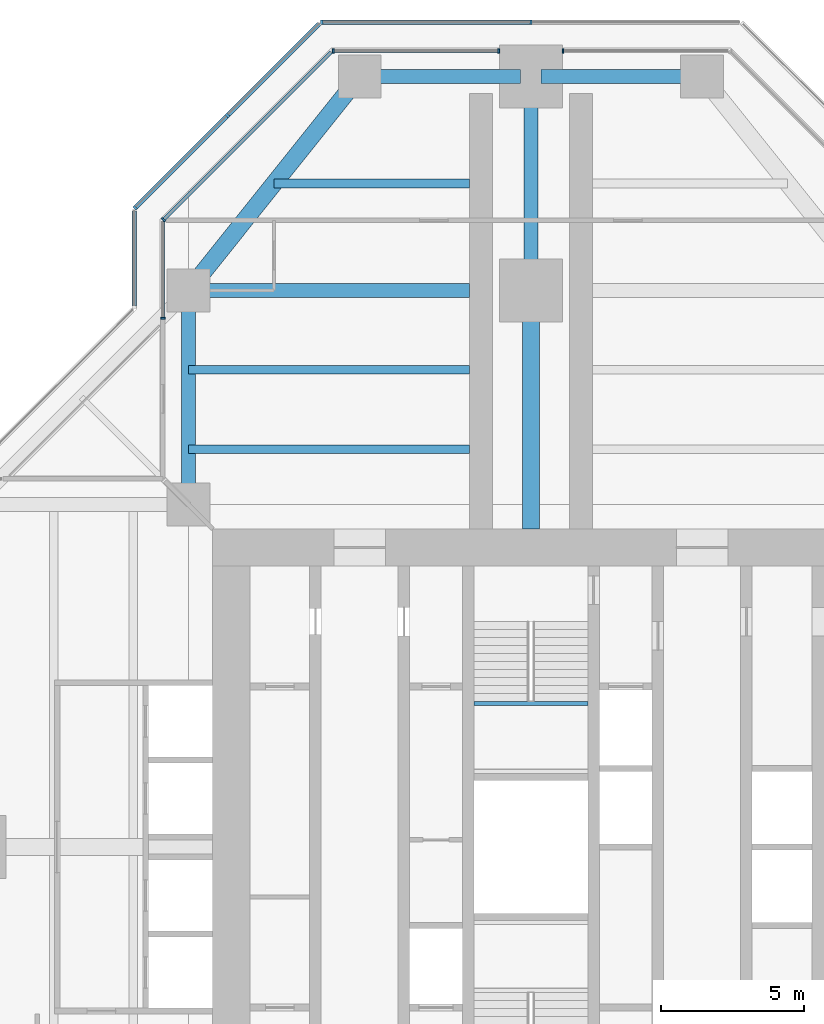
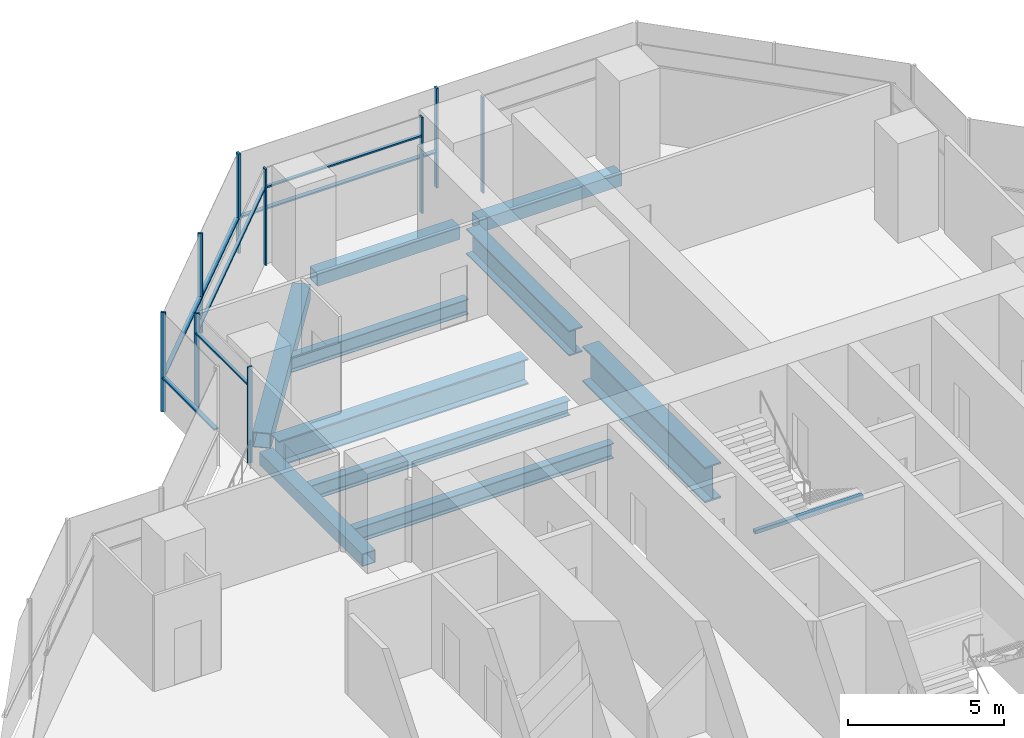
# One storey, part 7 of 17: 16 members, 11 beams, 7 elements without a shape of their own.
"""IFC4 building model written with IfcOpenShell, lengths in metres."""

from ifc_helpers import new_model, si_unit, direction, frame, origin, origin_2d, place, context, subcontext, project, spatial, rectangle, hollow_rectangle, i_section, extrude, material, material_profile, profile_set, type_object, element, aggregate, save


model = new_model("IFC4")

# Units and contexts
model_context = context("Model", 3, precision=1e-05, world=origin(), true_north=direction((0.0, 1.0)))
body_context = subcontext(model_context, "Body", "Model", "MODEL_VIEW")
ifc_project = project(units=[si_unit("LENGTHUNIT", "METRE"), si_unit("AREAUNIT", "SQUARE_METRE"), si_unit("VOLUMEUNIT", "CUBIC_METRE"), si_unit("PLANEANGLEUNIT", "RADIAN"), si_unit("MASSUNIT", "GRAM", prefix="KILO")], contexts=[model_context])

# Site, building, storey
site_placement = place(None, origin())
site = spatial("IfcSite", under=ifc_project, at=site_placement, CompositionType="ELEMENT")
building_placement = place(site_placement, origin())
building = spatial("IfcBuilding", under=site, at=building_placement, Name="Mizan Broadcast Tower", CompositionType="ELEMENT")
storey_placement = place(building_placement, frame((0.0, 0.0, 259.5)))
storey = spatial("IfcBuildingStorey", under=building, at=storey_placement, Name="L61", CompositionType="ELEMENT", Elevation=259.5)

# Beams
ifc_material_1 = material(Name="Steel S355", Category="steel")
ifc_material_profile_1 = material_profile(ifc_material_1, hollow_rectangle(XDim=0.5, YDim=0.5, WallThickness=0.030029296875, at=origin_2d()), Name="BOX 500x500x30")
ifc_profile_set_1 = profile_set([ifc_material_profile_1], Name="Steel S355")
beam_type_1 = type_object("IfcBeamType", Name="EDGE BEAM BOX 500x500x30", PredefinedType="SPANDREL", material=ifc_profile_set_1)
beam_1_placement = place(storey_placement, frame((5.639892578125, 27.0, -0.3798828125), z_axis=(-1.0, 0.0, 0.0), x_axis=(0.0, -1.0, 0.0)))
element("IfcBeam", 1, at=beam_1_placement, inside=storey, type_object=beam_type_1, Name="Edge beam BOX 500x500x30 L61 north arm", PredefinedType="SPANDREL", context=body_context, shape_type="SweptSolid", body=[
    extrude(hollow_rectangle(XDim=0.5, YDim=0.5, WallThickness=0.030029296875, at=origin_2d()), origin(), (0.0, 0.0, 1.0), 5.27978515625),
])
beam_2_placement = place(storey_placement, frame((-12.0, 12.449951171875, -0.3798828125), z_axis=(0.0, 1.0, 0.0), x_axis=(-1.0, 0.0, 0.0)))
element("IfcBeam", 2, at=beam_2_placement, inside=storey, type_object=beam_type_1, Name="Edge beam BOX 500x500x30 L61 north arm", PredefinedType="SPANDREL", context=body_context, shape_type="SweptSolid", body=[
    extrude(hollow_rectangle(XDim=0.5, YDim=0.5, WallThickness=0.030029296875, at=origin_2d()), origin(), (0.0, 0.0, 1.0), 6.60009765625),
])
beam_3_placement = place(storey_placement, frame((-5.639892578125, 27.0, -0.3798828125), z_axis=(1.0, 0.0, 0.0), x_axis=(0.0, 1.0, 0.0)))
element("IfcBeam", 3, at=beam_3_placement, inside=storey, type_object=beam_type_1, Name="Edge beam BOX 500x500x30 L61 north arm", PredefinedType="SPANDREL", context=body_context, shape_type="SweptSolid", body=[
    extrude(hollow_rectangle(XDim=0.5, YDim=0.5, WallThickness=0.030029296875, at=origin_2d()), origin(), (0.0, 0.0, 1.0), 5.27978515625),
])
ifc_material_2 = material(Name="Steel S355", Category="steel")
ifc_material_profile_2 = material_profile(ifc_material_2, hollow_rectangle(XDim=0.60009765625, YDim=0.60009765625, WallThickness=0.030029296875, at=origin_2d()), Name="BOX 600x600x30")
ifc_profile_set_2 = profile_set([ifc_material_profile_2], Name="Steel S355")
beam_type_2 = type_object("IfcBeamType", Name="EDGE BEAM BOX 600x600x30", PredefinedType="SPANDREL", material=ifc_profile_set_2)
beam_4_placement = place(storey_placement, frame((-11.639892578125, 19.949951171875, -0.429931640625), z_axis=(0.624673911726, 0.780885717636, 0.0), x_axis=(-0.780885717636, 0.624673911726, 0.0)))
element("IfcBeam", 4, at=beam_4_placement, inside=storey, type_object=beam_type_2, Name="Edge beam BOX 600x600x30 L61 north arm", PredefinedType="SPANDREL", context=body_context, shape_type="SweptSolid", body=[
    extrude(hollow_rectangle(XDim=0.60009765625, YDim=0.60009765625, WallThickness=0.030029296875, at=origin_2d()), origin(), (0.0, 0.0, 1.0), 8.4521484375),
])
ifc_material_3 = material(Name="Steel S460", Category="steel")
ifc_material_profile_3 = material_profile(ifc_material_3, i_section(OverallWidth=0.5, OverallDepth=1.0, WebThickness=0.02490234375, FlangeThickness=0.050048828125, at=origin_2d()), Name="WPG 1000x500")
ifc_profile_set_3 = profile_set([ifc_material_profile_3], Name="Steel S460")
beam_type_3 = type_object("IfcBeamType", Name="GIRDER WPG 1000x500", PredefinedType="BEAM", material=ifc_profile_set_3)
beam_5_placement = place(storey_placement, frame((0.0, 19.949951171875, -0.6298828125), z_axis=(0.0, 1.0, 0.0), x_axis=(-1.0, 0.0, 0.0)))
element("IfcBeam", 5, at=beam_5_placement, inside=storey, type_object=beam_type_3, Name="Girder WPG 1000x500 L61 north arm", PredefinedType="BEAM", context=body_context, shape_type="SweptSolid", body=[
    extrude(i_section(OverallWidth=0.5, OverallDepth=1.0, WebThickness=0.02490234375, FlangeThickness=0.050048828125, at=origin_2d()), origin(), (0.0, 0.0, 1.0), 6.60009765625),
])
beam_6_placement = place(storey_placement, frame((-11.408935546875, 19.5, -0.6298828125), z_axis=(1.0, 0.0, 0.0), x_axis=(0.0, 1.0, 0.0)))
element("IfcBeam", 6, at=beam_6_placement, inside=storey, type_object=beam_type_3, Name="Girder WPG 1000x500 L61 north arm", PredefinedType="BEAM", context=body_context, shape_type="SweptSolid", body=[
    extrude(i_section(OverallWidth=0.5, OverallDepth=1.0, WebThickness=0.02490234375, FlangeThickness=0.050048828125, at=origin_2d()), origin(), (0.0, 0.0, 1.0), 9.259033203125),
])
ifc_material_4 = material(Name="Steel S460", Category="steel")
ifc_material_profile_4 = material_profile(ifc_material_4, i_section(OverallWidth=0.60009765625, OverallDepth=1.39990234375, WebThickness=0.02490234375, FlangeThickness=0.06005859375, at=origin_2d()), Name="WPG 1400x600")
ifc_profile_set_4 = profile_set([ifc_material_profile_4], Name="Steel S460")
beam_type_4 = type_object("IfcBeamType", Name="GIRDER WPG 1400x600", PredefinedType="BEAM", material=ifc_profile_set_4)
beam_7_placement = place(storey_placement, frame((0.0, 11.14990234375, -0.830078125), z_axis=(0.0, 1.0, 0.0), x_axis=(-1.0, 0.0, 0.0)))
element("IfcBeam", 7, at=beam_7_placement, inside=storey, type_object=beam_type_4, Name="Girder WPG 1400x600 L61 north arm", PredefinedType="BEAM", context=body_context, shape_type="SweptSolid", body=[
    extrude(i_section(OverallWidth=0.60009765625, OverallDepth=1.39990234375, WebThickness=0.02490234375, FlangeThickness=0.06005859375, at=origin_2d()), origin(), (0.0, 0.0, 1.0), 7.84912109375),
])

# Curtain wall, member
ifc_material_5 = material(Name="Aluminium framed glazing", Category="aluminium")
curtain_wall_type_1 = type_object("IfcCurtainWallType", Name="INNER SKIN HIGH ZONE", PredefinedType="USERDEFINED", material=ifc_material_5)
curtain_wall_1_placement = place(storey_placement, origin())
curtain_wall_1 = element("IfcCurtainWall", 8, at=curtain_wall_1_placement, inside=storey, type_object=curtain_wall_type_1, Name="Inner skin high zone L61 N end", ObjectType="INNER SKIN HIGH ZONE", PredefinedType="USERDEFINED")
ifc_material_6 = material(Name="Aluminium, pale anodised", Category="aluminium")
ifc_material_profile_5 = material_profile(ifc_material_6, rectangle(XDim=0.159912109375, YDim=0.06005859375, at=origin_2d()), Name="MULLION 160x60")
ifc_profile_set_5 = profile_set([ifc_material_profile_5], Name="Aluminium, pale anodised")
member_type_1 = type_object("IfcMemberType", Name="INNER SKIN MULLION 60x160", PredefinedType="MULLION", material=ifc_profile_set_5)
member_1_placement = place(storey_placement, frame((1.1298828125, 27.89990234375, 0.0), z_axis=(0.0, 0.0, 1.0), x_axis=(0.0, -1.0, 0.0)))
member_1 = element("IfcMember", 9, at=member_1_placement, type_object=member_type_1, Name="Inner skin high zone L61 N end mullion 2", PredefinedType="MULLION", context=body_context, shape_type="SweptSolid", body=[
    extrude(rectangle(XDim=0.159912109375, YDim=0.06005859375, at=origin_2d()), origin(), (0.0, 0.0, 1.0), 3.77001953125),
])
aggregate(curtain_wall_1, [member_1])

# Curtain wall, members
curtain_wall_2_placement = place(storey_placement, origin())
curtain_wall_2 = element("IfcCurtainWall", 10, at=curtain_wall_2_placement, inside=storey, type_object=curtain_wall_type_1, Name="Inner skin high zone L61 N end", ObjectType="INNER SKIN HIGH ZONE", PredefinedType="USERDEFINED")
member_2_placement = place(storey_placement, frame((-1.1298828125, 27.89990234375, 0.0), z_axis=(0.0, 0.0, 1.0), x_axis=(0.0, -1.0, 0.0)))
member_2 = element("IfcMember", 11, at=member_2_placement, type_object=member_type_1, Name="Inner skin high zone L61 N end mullion 1", PredefinedType="MULLION", context=body_context, shape_type="SweptSolid", body=[
    extrude(rectangle(XDim=0.159912109375, YDim=0.06005859375, at=origin_2d()), origin(), (0.0, 0.0, 1.0), 3.77001953125),
])
member_3_placement = place(storey_placement, frame((-6.928466796875, 27.89990234375, 0.0), z_axis=(0.0, 0.0, 1.0), x_axis=(0.0, -1.0, 0.0)))
member_3 = element("IfcMember", 12, at=member_3_placement, type_object=member_type_1, Name="Inner skin high zone L61 N end mullion 2", PredefinedType="MULLION", context=body_context, shape_type="SweptSolid", body=[
    extrude(rectangle(XDim=0.159912109375, YDim=0.06005859375, at=origin_2d()), origin(), (0.0, 0.0, 1.0), 3.77001953125),
])

# Curtain wall, member
curtain_wall_3_placement = place(storey_placement, origin())
curtain_wall_3 = element("IfcCurtainWall", 13, at=curtain_wall_3_placement, inside=storey, type_object=curtain_wall_type_1, Name="Inner skin high zone L61 N chamfer", ObjectType="INNER SKIN HIGH ZONE", PredefinedType="USERDEFINED")
member_4_placement = place(storey_placement, frame((-12.87890625, 21.979736328125, 0.0), z_axis=(0.0, 0.0, 1.0), x_axis=(0.707106781187, -0.707106781187, 0.0)))
member_4 = element("IfcMember", 14, at=member_4_placement, type_object=member_type_1, Name="Inner skin high zone L61 N chamfer mullion 2", PredefinedType="MULLION", context=body_context, shape_type="SweptSolid", body=[
    extrude(rectangle(XDim=0.159912109375, YDim=0.06005859375, at=origin_2d()), origin(), (0.0, 0.0, 1.0), 3.77001953125),
])

curtain_wall_4_placement = place(storey_placement, origin())
curtain_wall_4 = element("IfcCurtainWall", 15, at=curtain_wall_4_placement, inside=storey, type_object=curtain_wall_type_1, Name="Inner skin high zone L61 N side", ObjectType="INNER SKIN HIGH ZONE", PredefinedType="USERDEFINED")
member_5_placement = place(storey_placement, frame((-12.89990234375, 18.530029296875, 0.0), z_axis=(0.0, 0.0, 1.0), x_axis=(1.0, 0.0, 0.0)))
member_5 = element("IfcMember", 16, at=member_5_placement, type_object=member_type_1, Name="Inner skin high zone L61 N side mullion 2", PredefinedType="MULLION", context=body_context, shape_type="SweptSolid", body=[
    extrude(rectangle(XDim=0.159912109375, YDim=0.06005859375, at=origin_2d()), origin(), (0.0, 0.0, 1.0), 3.77001953125),
])

# Member
ifc_material_7 = material(Name="Aluminium, pale anodised", Category="aluminium")
ifc_material_profile_6 = material_profile(ifc_material_7, rectangle(XDim=0.1201171875, YDim=0.06005859375, at=origin_2d()), Name="TRANSOM 120x60")
ifc_profile_set_6 = profile_set([ifc_material_profile_6], Name="Aluminium, pale anodised")
member_type_2 = type_object("IfcMemberType", Name="INNER SKIN TRANSOM 60x120", PredefinedType="USERDEFINED", material=ifc_profile_set_6)
member_6_placement = place(storey_placement, frame((-1.159912109375, 27.89990234375, 3.030029296875), z_axis=(-1.0, 0.0, 0.0), x_axis=(0.0, -1.0, 0.0)))
member_6 = element("IfcMember", 17, at=member_6_placement, type_object=member_type_2, Name="Inner skin high zone L61 N end transom 1.1", ObjectType="TRANSOM", PredefinedType="USERDEFINED", context=body_context, shape_type="SweptSolid", body=[
    extrude(rectangle(XDim=0.1201171875, YDim=0.06005859375, at=origin_2d()), origin(), (0.0, 0.0, 1.0), 5.73876953125),
])

aggregate(curtain_wall_2, [member_2, member_3, member_6])

member_7_placement = place(storey_placement, frame((-7.0009765625, 27.857666015625, 3.030029296875), z_axis=(-0.707106781187, -0.707106781187, 0.0), x_axis=(0.707106781187, -0.707106781187, 0.0)))
member_7 = element("IfcMember", 18, at=member_7_placement, type_object=member_type_2, Name="Inner skin high zone L61 N chamfer transom 1.1", ObjectType="TRANSOM", PredefinedType="USERDEFINED", context=body_context, shape_type="SweptSolid", body=[
    extrude(rectangle(XDim=0.1201171875, YDim=0.06005859375, at=origin_2d()), origin(), (0.0, 0.0, 1.0), 8.28271484375),
])

aggregate(curtain_wall_3, [member_4, member_7])

member_8_placement = place(storey_placement, frame((-12.89990234375, 21.898681640625, 3.030029296875), z_axis=(0.0, -1.0, 0.0), x_axis=(1.0, 0.0, 0.0)))
member_8 = element("IfcMember", 19, at=member_8_placement, type_object=member_type_2, Name="Inner skin high zone L61 N side transom 1.1", ObjectType="TRANSOM", PredefinedType="USERDEFINED", context=body_context, shape_type="SweptSolid", body=[
    extrude(rectangle(XDim=0.1201171875, YDim=0.06005859375, at=origin_2d()), origin(), (0.0, 0.0, 1.0), 3.338623046875),
])

aggregate(curtain_wall_4, [member_5, member_8])

# Beam
ifc_material_8 = material(Name="Steel S355", Category="steel")
ifc_material_profile_7 = material_profile(ifc_material_8, hollow_rectangle(XDim=0.14990234375, YDim=0.14990234375, WallThickness=0.008056640625, InnerFilletRadius=0.008056640625, OuterFilletRadius=0.011962890625, at=origin_2d()), Name="SHS 150x150x8")
ifc_profile_set_7 = profile_set([ifc_material_profile_7], Name="Steel S355")
beam_type_5 = type_object("IfcBeamType", Name="LANDING TRIMMER SHS 150x150x8", PredefinedType="BEAM", material=ifc_profile_set_7)
beam_8_placement = place(storey_placement, frame((2.0, 5.02490234375, 1.675048828125), z_axis=(-1.0, 0.0, 0.0), x_axis=(0.0, -1.0, 0.0)))
element("IfcBeam", 20, at=beam_8_placement, inside=storey, type_object=beam_type_5, Name="Stair B landing trimmer L61", PredefinedType="BEAM", context=body_context, shape_type="SweptSolid", body=[
    extrude(hollow_rectangle(XDim=0.14990234375, YDim=0.14990234375, WallThickness=0.008056640625, InnerFilletRadius=0.008056640625, OuterFilletRadius=0.011962890625, at=origin_2d()), origin(), (0.0, 0.0, 1.0), 4.0),
])

# Curtain wall, members
ifc_material_9 = material(Name="Aluminium framed glazing", Category="aluminium")
curtain_wall_type_2 = type_object("IfcCurtainWallType", Name="OUTER SKIN", PredefinedType="USERDEFINED", material=ifc_material_9)
curtain_wall_5_placement = place(storey_placement, origin())
curtain_wall_5 = element("IfcCurtainWall", 21, at=curtain_wall_5_placement, inside=storey, type_object=curtain_wall_type_2, Name="Outer skin L61 N end", ObjectType="OUTER SKIN", PredefinedType="USERDEFINED")
ifc_material_10 = material(Name="Aluminium, pale anodised", Category="aluminium")
ifc_material_profile_8 = material_profile(ifc_material_10, rectangle(XDim=0.159912109375, YDim=0.080078125, at=origin_2d()), Name="MULLION 160x80")
ifc_profile_set_8 = profile_set([ifc_material_profile_8], Name="Aluminium, pale anodised")
member_type_3 = type_object("IfcMemberType", Name="OUTER SKIN MULLION 80x160", PredefinedType="MULLION", material=ifc_profile_set_8)
member_9_placement = place(storey_placement, frame((0.0, 28.89990234375, 0.0), z_axis=(0.0, 0.0, 1.0), x_axis=(0.0, -1.0, 0.0)))
member_9 = element("IfcMember", 22, at=member_9_placement, type_object=member_type_3, Name="Outer skin L61 N end mullion 2", PredefinedType="MULLION", context=body_context, shape_type="SweptSolid", body=[
    extrude(rectangle(XDim=0.159912109375, YDim=0.080078125, at=origin_2d()), origin(), (0.0, 0.0, 1.0), 3.89990234375),
])
member_10_placement = place(storey_placement, frame((-7.332763671875, 28.89990234375, 0.0), z_axis=(0.0, 0.0, 1.0), x_axis=(0.0, -1.0, 0.0)))
member_10 = element("IfcMember", 23, at=member_10_placement, type_object=member_type_3, Name="Outer skin L61 N end mullion 3", PredefinedType="MULLION", context=body_context, shape_type="SweptSolid", body=[
    extrude(rectangle(XDim=0.159912109375, YDim=0.080078125, at=origin_2d()), origin(), (0.0, 0.0, 1.0), 3.89990234375),
])

curtain_wall_6_placement = place(storey_placement, origin())
curtain_wall_6 = element("IfcCurtainWall", 24, at=curtain_wall_6_placement, inside=storey, type_object=curtain_wall_type_2, Name="Outer skin L61 N chamfer", ObjectType="OUTER SKIN", PredefinedType="USERDEFINED")
member_11_placement = place(storey_placement, frame((-10.636474609375, 25.636474609375, 0.0), z_axis=(0.0, 0.0, 1.0), x_axis=(0.707106781187, -0.707106781187, 0.0)))
member_11 = element("IfcMember", 25, at=member_11_placement, type_object=member_type_3, Name="Outer skin L61 N chamfer mullion 2", PredefinedType="MULLION", context=body_context, shape_type="SweptSolid", body=[
    extrude(rectangle(XDim=0.159912109375, YDim=0.080078125, at=origin_2d()), origin(), (0.0, 0.0, 1.0), 3.89990234375),
])
member_12_placement = place(storey_placement, frame((-13.871826171875, 22.401123046875, 0.0), z_axis=(0.0, 0.0, 1.0), x_axis=(0.707106781187, -0.707106781187, 0.0)))
member_12 = element("IfcMember", 26, at=member_12_placement, type_object=member_type_3, Name="Outer skin L61 N chamfer mullion 3", PredefinedType="MULLION", context=body_context, shape_type="SweptSolid", body=[
    extrude(rectangle(XDim=0.159912109375, YDim=0.080078125, at=origin_2d()), origin(), (0.0, 0.0, 1.0), 3.89990234375),
])

# Member
ifc_material_11 = material(Name="Aluminium, pale anodised", Category="aluminium")
ifc_material_profile_9 = material_profile(ifc_material_11, rectangle(XDim=0.159912109375, YDim=0.06005859375, at=origin_2d()), Name="TRANSOM 160x60")
ifc_profile_set_9 = profile_set([ifc_material_profile_9], Name="Aluminium, pale anodised")
member_type_4 = type_object("IfcMemberType", Name="OUTER SKIN TRANSOM 60x160", PredefinedType="USERDEFINED", material=ifc_profile_set_9)
member_13_placement = place(storey_placement, frame((-0.0400390625, 28.89990234375, 1.39990234375), z_axis=(-1.0, 0.0, 0.0), x_axis=(0.0, -1.0, 0.0)))
member_13 = element("IfcMember", 27, at=member_13_placement, type_object=member_type_4, Name="Outer skin L61 N end transom 2.1", ObjectType="TRANSOM", PredefinedType="USERDEFINED", context=body_context, shape_type="SweptSolid", body=[
    extrude(rectangle(XDim=0.159912109375, YDim=0.06005859375, at=origin_2d()), origin(), (0.0, 0.0, 1.0), 7.252685546875),
])

aggregate(curtain_wall_5, [member_9, member_10, member_13])

member_14_placement = place(storey_placement, frame((-7.429443359375, 28.843505859375, 1.39990234375), z_axis=(-0.707106781187, -0.707106781187, 0.0), x_axis=(0.707106781187, -0.707106781187, 0.0)))
member_14 = element("IfcMember", 28, at=member_14_placement, type_object=member_type_4, Name="Outer skin L61 N chamfer transom 1.1", ObjectType="TRANSOM", PredefinedType="USERDEFINED", context=body_context, shape_type="SweptSolid", body=[
    extrude(rectangle(XDim=0.159912109375, YDim=0.06005859375, at=origin_2d()), origin(), (0.0, 0.0, 1.0), 4.495361328125),
])

member_15_placement = place(storey_placement, frame((-10.664794921875, 25.608154296875, 1.39990234375), z_axis=(-0.707106781187, -0.707106781187, 0.0), x_axis=(0.707106781187, -0.707106781187, 0.0)))
member_15 = element("IfcMember", 29, at=member_15_placement, type_object=member_type_4, Name="Outer skin L61 N chamfer transom 2.1", ObjectType="TRANSOM", PredefinedType="USERDEFINED", context=body_context, shape_type="SweptSolid", body=[
    extrude(rectangle(XDim=0.159912109375, YDim=0.06005859375, at=origin_2d()), origin(), (0.0, 0.0, 1.0), 4.495361328125),
])

aggregate(curtain_wall_6, [member_11, member_12, member_14, member_15])

# Curtain wall, member
curtain_wall_7_placement = place(storey_placement, origin())
curtain_wall_7 = element("IfcCurtainWall", 30, at=curtain_wall_7_placement, inside=storey, type_object=curtain_wall_type_2, Name="Outer skin L61 N side", ObjectType="OUTER SKIN", PredefinedType="USERDEFINED")
member_16_placement = place(storey_placement, frame((-13.89990234375, 22.292724609375, 1.39990234375), z_axis=(0.0, -1.0, 0.0), x_axis=(1.0, 0.0, 0.0)))
member_16 = element("IfcMember", 31, at=member_16_placement, type_object=member_type_4, Name="Outer skin L61 N side transom 1.1", ObjectType="TRANSOM", PredefinedType="USERDEFINED", context=body_context, shape_type="SweptSolid", body=[
    extrude(rectangle(XDim=0.159912109375, YDim=0.06005859375, at=origin_2d()), origin(), (0.0, 0.0, 1.0), 3.33984375),
])
aggregate(curtain_wall_7, [member_16])

# Beams
ifc_material_12 = material(Name="Steel S355", Category="steel")
ifc_material_profile_10 = material_profile(ifc_material_12, i_section(OverallWidth=0.300048828125, OverallDepth=0.590087890625, WebThickness=0.012939453125, FlangeThickness=0.02490234375, FilletRadius=0.027099609375, at=origin_2d()), Name="HEA 600")
ifc_profile_set_10 = profile_set([ifc_material_profile_10], Name="Steel S355")
beam_type_6 = type_object("IfcBeamType", Name="SECONDARY BEAM HEA 600", PredefinedType="JOIST", material=ifc_profile_set_10)
for number, where, z_axis, x_axis, name in (
    (32, (-12.0, 13.933349609375, -0.425048828125), (1.0, 0.0, 0.0), (0.0, 1.0, 0.0), "Secondary beam HEA 600 L61 north arm"),
    (33, (-12.0, 16.716552734375, -0.425048828125), (1.0, 0.0, 0.0), (0.0, 1.0, 0.0), "Secondary beam HEA 600 L61 north arm"),
):
    element("IfcBeam", number, at=place(storey_placement, frame(where, z_axis=z_axis, x_axis=x_axis)), inside=storey, type_object=beam_type_6, Name=name, PredefinedType="JOIST", context=body_context, shape_type="SweptSolid", body=[
        extrude(i_section(OverallWidth=0.300048828125, OverallDepth=0.590087890625, WebThickness=0.012939453125, FlangeThickness=0.02490234375, FilletRadius=0.027099609375, at=origin_2d()), origin(), (0.0, 0.0, 1.0), 9.85009765625),
    ])
beam_9_placement = place(storey_placement, frame((-9.0, 23.25, -0.425048828125), z_axis=(1.0, 0.0, 0.0), x_axis=(0.0, 1.0, 0.0)))
element("IfcBeam", 34, at=beam_9_placement, inside=storey, type_object=beam_type_6, Name="Secondary beam HEA 600 L61 north arm", PredefinedType="JOIST", context=body_context, shape_type="SweptSolid", body=[
    extrude(i_section(OverallWidth=0.300048828125, OverallDepth=0.590087890625, WebThickness=0.012939453125, FlangeThickness=0.02490234375, FilletRadius=0.027099609375, at=origin_2d()), origin(), (0.0, 0.0, 1.0), 6.85009765625),
])

save(model, "model.ifc")
